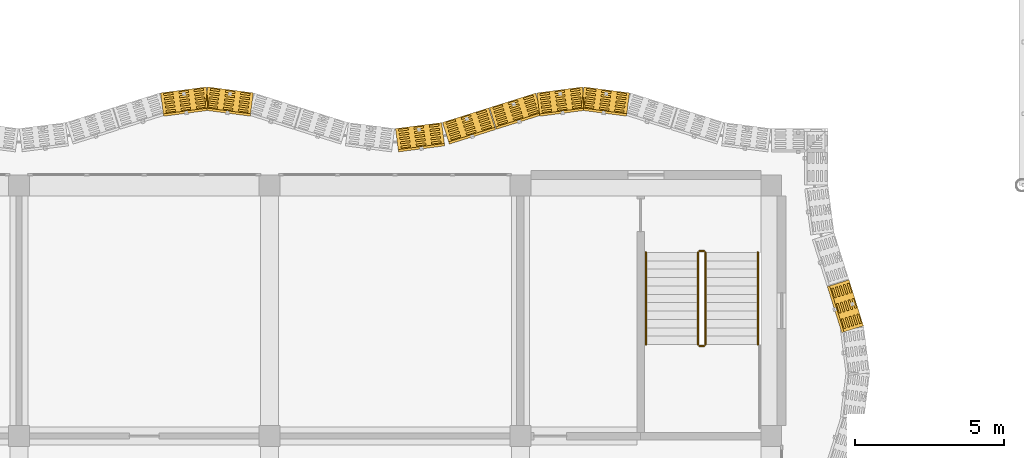
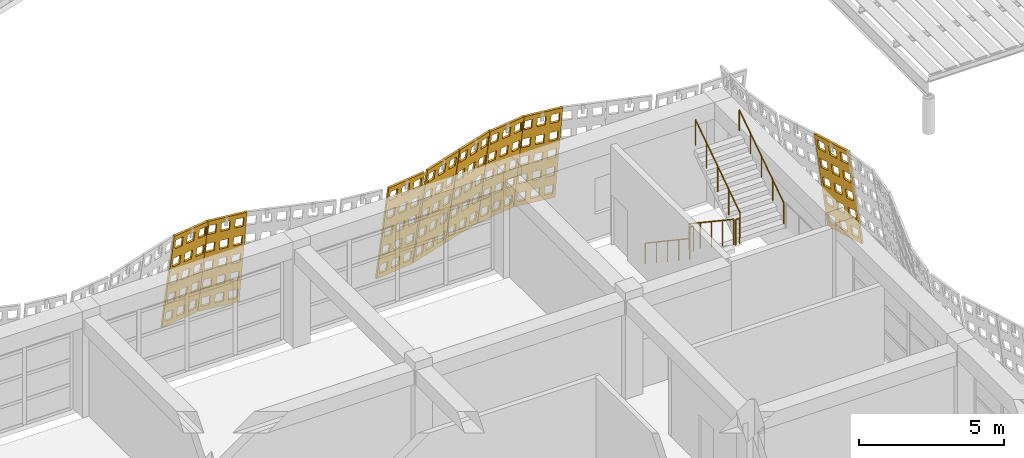
# One storey, part 127 of 162: 8 coverings, 6 railings.
"""IFC4 building model written with IfcOpenShell, lengths in metres."""

import ifcopenshell
import ifcopenshell.guid

model = None  # the IFC model being written
_history = None  # IfcOwnerHistory: only IFC2X3 demands one
_inside = {}  # id of a spatial element -> (the spatial element, [elements in it])
_under = {}  # id of a project, library or spatial element -> (it, [spatial elements below it])
_declared = {}  # id of a project -> (the project, [libraries it declares])
_typed = {}  # id of a type object -> (the type object, [elements of that type])
_made_of = {}  # id of a material, layer set ... -> (it, [elements and type objects made of it])


def new_model(schema):
    """Start an empty IFC model of exactly this schema.

    Asked for "IFC4X3", IfcOpenShell would pick the latest addendum, in which some entities
    have other attributes; the version numbers below select the first issue.
    IFC2X3 requires an IfcOwnerHistory on every rooted entity: one is made here for all.
    """
    global model, _history
    if schema == "IFC4X3":
        model = ifcopenshell.file(schema_version=(4, 3, 0, 0))
    else:
        model = ifcopenshell.file(schema=schema)
    _inside.clear()
    _under.clear()
    _declared.clear()
    _typed.clear()
    _made_of.clear()
    _history = None
    if model.schema == "IFC2X3":
        org = make("IfcOrganization", Name="unknown")
        user = make(
            "IfcPersonAndOrganization",
            ThePerson=make("IfcPerson", FamilyName="unknown"),
            TheOrganization=org,
        )
        app = make(
            "IfcApplication",
            ApplicationDeveloper=org,
            Version="unknown",
            ApplicationFullName="unknown",
            ApplicationIdentifier="unknown",
        )
        _history = make(
            "IfcOwnerHistory",
            OwningUser=user,
            OwningApplication=app,
            ChangeAction="ADDED",
            CreationDate=0,
        )
    return model


def make(cls, **values):
    """One entity of the class cls with the attributes given. An attribute that is None is left unset."""
    return model.create_entity(
        cls, **{name: value for name, value in values.items() if value is not None}
    )


def rooted(cls, **values):
    """An entity with a GlobalId (a new one), such as an element, a storey or a relation."""
    return make(cls, GlobalId=ifcopenshell.guid.new(), OwnerHistory=_history, **values)


def si_unit(unit_type, name, prefix=None):
    """IfcSIUnit, for example si_unit("LENGTHUNIT", "METRE", prefix="MILLI")."""
    return make("IfcSIUnit", UnitType=unit_type, Prefix=prefix, Name=name)


def assignment(units):
    """IfcUnitAssignment: the units of a project."""
    return None if units is None else make("IfcUnitAssignment", Units=units)


def point(xyz):
    """IfcCartesianPoint."""
    return None if xyz is None else make("IfcCartesianPoint", Coordinates=xyz)


def direction(xyz):
    """IfcDirection."""
    return None if xyz is None else make("IfcDirection", DirectionRatios=xyz)


def frame(location, z_axis=None, x_axis=None):
    """IfcAxis2Placement3D, a coordinate frame: its origin and axes. An axis left out is left unset."""
    return make(
        "IfcAxis2Placement3D",
        Location=point(location),
        Axis=direction(z_axis),
        RefDirection=direction(x_axis),
    )


def frame_2d(location, x_axis=None):
    """IfcAxis2Placement2D, a coordinate frame in the plane: its origin and x axis."""
    return make(
        "IfcAxis2Placement2D", Location=point(location), RefDirection=direction(x_axis)
    )


def origin():
    """The frame at (0, 0, 0) with its axes left unset."""
    return frame((0.0, 0.0, 0.0))


def origin_2d():
    """The frame at (0, 0) in the plane with its x axis left unset."""
    return frame_2d((0.0, 0.0))


def place(relative_to, where):
    """IfcLocalPlacement: puts the frame where relative to a parent placement (None: the world)."""
    return make(
        "IfcLocalPlacement", PlacementRelTo=relative_to, RelativePlacement=where
    )


def context(
    kind, dimensions, precision=None, world=None, true_north=None, identifier=None
):
    """IfcGeometricRepresentationContext, for example the 3D "Model" context."""
    return make(
        "IfcGeometricRepresentationContext",
        ContextIdentifier=identifier,
        ContextType=kind,
        CoordinateSpaceDimension=dimensions,
        Precision=precision,
        WorldCoordinateSystem=world,
        TrueNorth=true_north,
    )


def subcontext(parent, identifier, kind, view, scale=None):
    """IfcGeometricRepresentationSubContext, for example "Body" below "Model"."""
    return make(
        "IfcGeometricRepresentationSubContext",
        ContextIdentifier=identifier,
        ContextType=kind,
        ParentContext=parent,
        TargetScale=scale,
        TargetView=view,
    )


def project(units=None, contexts=None):
    """IfcProject with its units and contexts."""
    return rooted(
        "IfcProject",
        Name="project",
        RepresentationContexts=contexts,
        UnitsInContext=assignment(units),
    )


def spatial(cls, under=None, at=None, **own):
    """A site, building, storey or space (cls), placed at a placement, below another one or the project."""
    s = rooted(cls, ObjectPlacement=at, **own)
    if under is not None:
        _under.setdefault(under.id(), (under, []))[1].append(s)
    return s


def polyline(points):
    """IfcPolyline through the points."""
    return make("IfcPolyline", Points=[point(p) for p in points])


def profile(cls, at=None, kind="AREA", **sizes):
    """A parametric profile (cls). Its sizes go by their IFC names, for example OverallWidth=200.0."""
    return make(cls, ProfileType=kind, Position=at, **sizes)


def circle(**sizes):
    """IfcCircleProfileDef."""
    return profile("IfcCircleProfileDef", **sizes)


def outline(outer, holes=None, kind="AREA"):
    """IfcArbitraryClosedProfileDef: a profile drawn as a closed curve; with holes, ...WithVoids."""
    if holes is None:
        return make("IfcArbitraryClosedProfileDef", ProfileType=kind, OuterCurve=outer)
    return make(
        "IfcArbitraryProfileDefWithVoids",
        ProfileType=kind,
        OuterCurve=outer,
        InnerCurves=holes,
    )


def extrude(swept, where, along, depth):
    """IfcExtrudedAreaSolid: the profile swept, set in the frame where, extruded along a direction by depth."""
    return make(
        "IfcExtrudedAreaSolid",
        SweptArea=swept,
        Position=where,
        ExtrudedDirection=direction(along),
        Depth=depth,
    )


def shape(context_of_items, identifier, shape_type, items):
    """IfcShapeRepresentation: the items that make up one representation, for example the "Body"."""
    return make(
        "IfcShapeRepresentation",
        ContextOfItems=context_of_items,
        RepresentationIdentifier=identifier,
        RepresentationType=shape_type,
        Items=items,
    )


def material(Name=None, Category=None):
    """IfcMaterial."""
    return make("IfcMaterial", Name=Name, Category=Category)


def layer(
    of_material, thickness, ventilated=None, Name=None, Category=None, Priority=None
):
    """IfcMaterialLayer: one layer of a wall or slab, of a material (None: an air gap)."""
    return make(
        "IfcMaterialLayer",
        Material=of_material,
        LayerThickness=thickness,
        IsVentilated=ventilated,
        Name=Name,
        Category=Category,
        Priority=Priority,
    )


def layer_set(layers, Name=None):
    """IfcMaterialLayerSet."""
    return make("IfcMaterialLayerSet", MaterialLayers=layers, LayerSetName=Name)


def made_of(thing, what):
    """Note that an element or type object is made of a material, layer set ...; save() writes the relation."""
    if what is not None:
        _made_of.setdefault(what.id(), (what, []))[1].append(thing)
    return thing


def type_object(cls, material=None, **own):
    """A type object (cls), such as IfcWallType, which elements share."""
    return made_of(rooted(cls, **own), material)


def element(
    cls,
    number,
    at=None,
    inside=None,
    cuts=None,
    type_object=None,
    material=None,
    context=None,
    identifier="Body",
    shape_type=None,
    held_by="IfcProductDefinitionShape",
    body=None,
    shapes=None,
    **own,
):
    """One element of the class cls, such as IfcWall. Its Tag is "e" and its number.

    at: its placement. inside: the storey or other place that contains it. cuts: it is an
    opening in that element (IfcRelVoidsElement). A single representation is given by context,
    identifier, shape_type and body (its items); several are given by shapes. held_by: the class
    of the entity that holds the representations. save() writes the other relations.
    """
    e = rooted(cls, Tag="e%d" % number, ObjectPlacement=at, **own)
    if body is not None:
        shapes = [shape(context, identifier, shape_type, body)]
    if shapes is not None:
        e.Representation = make(held_by, Representations=shapes)
    if inside is not None:
        _inside.setdefault(inside.id(), (inside, []))[1].append(e)
    if cuts is not None:
        rooted(
            "IfcRelVoidsElement", RelatingBuildingElement=cuts, RelatedOpeningElement=e
        )
    if type_object is not None:
        _typed.setdefault(type_object.id(), (type_object, []))[1].append(e)
    return made_of(e, material)


def aggregate(whole, parts):
    """IfcRelAggregates: a whole, such as a stair, and the parts it consists of."""
    return rooted("IfcRelAggregates", RelatingObject=whole, RelatedObjects=parts)


def save(model, path):
    """Write the relations noted so far, then the file.

    IfcRelAggregates (storeys below a building ...), IfcRelContainedInSpatialStructure (elements
    in a storey), IfcRelDefinesByType, IfcRelAssociatesMaterial and IfcRelDeclares: one each for
    every whole, place, type object, material and project.
    """
    for whole, parts in _under.values():
        aggregate(whole, parts)
    for where, things in _inside.values():
        rooted(
            "IfcRelContainedInSpatialStructure",
            RelatedElements=things,
            RelatingStructure=where,
        )
    for kind, things in _typed.values():
        rooted("IfcRelDefinesByType", RelatedObjects=things, RelatingType=kind)
    for what, things in _made_of.values():
        rooted("IfcRelAssociatesMaterial", RelatedObjects=things, RelatingMaterial=what)
    for by, libraries in _declared.values():
        rooted("IfcRelDeclares", RelatingContext=by, RelatedDefinitions=libraries)
    model.write(path)


model = new_model("IFC4")

# Units and contexts
model_context = context("Model", 3, precision=1e-05, world=origin(), true_north=direction((0.0, 1.0)))
body_context = subcontext(model_context, "Body", "Model", "MODEL_VIEW")
ifc_project = project(units=[si_unit("LENGTHUNIT", "METRE"), si_unit("AREAUNIT", "SQUARE_METRE"), si_unit("VOLUMEUNIT", "CUBIC_METRE"), si_unit("PLANEANGLEUNIT", "RADIAN"), si_unit("MASSUNIT", "GRAM", prefix="KILO")], contexts=[model_context])

# Site, building, storey
site_placement = place(None, origin())
site = spatial("IfcSite", under=ifc_project, at=site_placement, CompositionType="ELEMENT")
building_placement = place(site_placement, origin())
building = spatial("IfcBuilding", under=site, at=building_placement, Name="Rain Tree Exposition and Congress Centre", CompositionType="ELEMENT")
storey_placement = place(building_placement, frame((0.0, 0.0, 6.0)))
storey = spatial("IfcBuildingStorey", under=building, at=storey_placement, Name="L01", CompositionType="ELEMENT", Elevation=6.0)

# Coverings
ifc_material_1 = material(Name="Perforated terracotta", Category="masonry")
ifc_layer = layer(ifc_material_1, 0.080078125)
ifc_layer_set = layer_set([ifc_layer], Name="Perforated terracotta")
covering_type = type_object("IfcCoveringType", Name="Terracotta screen 80", PredefinedType="CLADDING", material=ifc_layer_set)
covering_1_placement = place(storey_placement, frame((53.493408203125, 45.67431640625, 0.0126953125), z_axis=(-0.942029390639, -0.295717964052, -0.158529217842), x_axis=(0.29950542383, -0.954094597562, 0.0)))
element("IfcCovering", 1, at=covering_1_placement, inside=storey, type_object=covering_type, Name="wing/screen/L01/064", PredefinedType="CLADDING", context=body_context, shape_type="SweptSolid", body=[
    extrude(outline(polyline([(-1.635986328125, 0.0), (-1.635986328125, 4.291259765625), (-0.02197265625, 4.291259765625), (-0.02197265625, 0.0), (-1.635986328125, 0.0)]), holes=[polyline([(-0.124267578125, 0.221435546875), (-0.124267578125, 0.63671875), (-0.457763671875, 0.63671875), (-0.457763671875, 0.221435546875), (-0.124267578125, 0.221435546875)]), polyline([(-0.124267578125, 1.07958984375), (-0.124267578125, 1.4951171875), (-0.457763671875, 1.4951171875), (-0.457763671875, 1.07958984375), (-0.124267578125, 1.07958984375)]), polyline([(-0.124267578125, 1.93798828125), (-0.124267578125, 2.353271484375), (-0.457763671875, 2.353271484375), (-0.457763671875, 1.93798828125), (-0.124267578125, 1.93798828125)]), polyline([(-0.124267578125, 2.796142578125), (-0.124267578125, 3.21142578125), (-0.457763671875, 3.21142578125), (-0.457763671875, 2.796142578125), (-0.124267578125, 2.796142578125)]), polyline([(-0.124267578125, 3.654541015625), (-0.124267578125, 4.06982421875), (-0.457763671875, 4.06982421875), (-0.457763671875, 3.654541015625), (-0.124267578125, 3.654541015625)]), polyline([(-0.662109375, 0.221435546875), (-0.662109375, 0.63671875), (-0.995849609375, 0.63671875), (-0.995849609375, 0.221435546875), (-0.662109375, 0.221435546875)]), polyline([(-0.662109375, 1.07958984375), (-0.662109375, 1.4951171875), (-0.995849609375, 1.4951171875), (-0.995849609375, 1.07958984375), (-0.662109375, 1.07958984375)]), polyline([(-0.662109375, 1.93798828125), (-0.662109375, 2.353271484375), (-0.995849609375, 2.353271484375), (-0.995849609375, 1.93798828125), (-0.662109375, 1.93798828125)]), polyline([(-0.662109375, 2.796142578125), (-0.662109375, 3.21142578125), (-0.995849609375, 3.21142578125), (-0.995849609375, 2.796142578125), (-0.662109375, 2.796142578125)]), polyline([(-0.662109375, 3.654541015625), (-0.662109375, 4.06982421875), (-0.995849609375, 4.06982421875), (-0.995849609375, 3.654541015625), (-0.662109375, 3.654541015625)]), polyline([(-1.2001953125, 0.221435546875), (-1.2001953125, 0.63671875), (-1.53369140625, 0.63671875), (-1.53369140625, 0.221435546875), (-1.2001953125, 0.221435546875)]), polyline([(-1.2001953125, 1.07958984375), (-1.2001953125, 1.4951171875), (-1.53369140625, 1.4951171875), (-1.53369140625, 1.07958984375), (-1.2001953125, 1.07958984375)]), polyline([(-1.2001953125, 1.93798828125), (-1.2001953125, 2.353271484375), (-1.53369140625, 2.353271484375), (-1.53369140625, 1.93798828125), (-1.2001953125, 1.93798828125)]), polyline([(-1.2001953125, 2.796142578125), (-1.2001953125, 3.21142578125), (-1.53369140625, 3.21142578125), (-1.53369140625, 2.796142578125), (-1.2001953125, 2.796142578125)]), polyline([(-1.2001953125, 3.654541015625), (-1.2001953125, 4.06982421875), (-1.53369140625, 4.06982421875), (-1.53369140625, 3.654541015625), (-1.2001953125, 3.654541015625)])]), origin(), (0.0, 0.0, 1.0), 0.080078125),
])
covering_2_placement = place(storey_placement, frame((45.6748046875, 53.4931640625, 0.01318359375), z_axis=(-0.127967328105, -0.978036007662, -0.16452942185), x_axis=(0.991548658387, -0.129735338481, 0.0)))
element("IfcCovering", 2, at=covering_2_placement, inside=storey, type_object=covering_type, Name="wing/screen/L01/072", PredefinedType="CLADDING", context=body_context, shape_type="SweptSolid", body=[
    extrude(outline(polyline([(-1.56298828125, 0.0), (-1.56298828125, 4.295166015625), (-0.02197265625, 4.295166015625), (-0.02197265625, 0.0), (-1.56298828125, 0.0)]), holes=[polyline([(-0.11962890625, 0.2216796875), (-0.11962890625, 0.63720703125), (-0.43798828125, 0.63720703125), (-0.43798828125, 0.2216796875), (-0.11962890625, 0.2216796875)]), polyline([(-0.11962890625, 1.080810546875), (-0.11962890625, 1.496337890625), (-0.43798828125, 1.496337890625), (-0.43798828125, 1.080810546875), (-0.11962890625, 1.080810546875)]), polyline([(-0.11962890625, 1.939697265625), (-0.11962890625, 2.35546875), (-0.43798828125, 2.35546875), (-0.43798828125, 1.939697265625), (-0.11962890625, 1.939697265625)]), polyline([(-0.11962890625, 2.798583984375), (-0.11962890625, 3.21435546875), (-0.43798828125, 3.21435546875), (-0.43798828125, 2.798583984375), (-0.11962890625, 2.798583984375)]), polyline([(-0.11962890625, 3.65771484375), (-0.11962890625, 4.073486328125), (-0.43798828125, 4.073486328125), (-0.43798828125, 3.65771484375), (-0.11962890625, 3.65771484375)]), polyline([(-0.63330078125, 0.2216796875), (-0.63330078125, 0.63720703125), (-0.95166015625, 0.63720703125), (-0.95166015625, 0.2216796875), (-0.63330078125, 0.2216796875)]), polyline([(-0.63330078125, 1.080810546875), (-0.63330078125, 1.496337890625), (-0.95166015625, 1.496337890625), (-0.95166015625, 1.080810546875), (-0.63330078125, 1.080810546875)]), polyline([(-0.63330078125, 1.939697265625), (-0.63330078125, 2.35546875), (-0.95166015625, 2.35546875), (-0.95166015625, 1.939697265625), (-0.63330078125, 1.939697265625)]), polyline([(-0.63330078125, 2.798583984375), (-0.63330078125, 3.21435546875), (-0.95166015625, 3.21435546875), (-0.95166015625, 2.798583984375), (-0.63330078125, 2.798583984375)]), polyline([(-0.63330078125, 3.65771484375), (-0.63330078125, 4.073486328125), (-0.95166015625, 4.073486328125), (-0.95166015625, 3.65771484375), (-0.63330078125, 3.65771484375)]), polyline([(-1.146728515625, 0.2216796875), (-1.146728515625, 0.63720703125), (-1.46533203125, 0.63720703125), (-1.46533203125, 0.2216796875), (-1.146728515625, 0.2216796875)]), polyline([(-1.146728515625, 1.080810546875), (-1.146728515625, 1.496337890625), (-1.46533203125, 1.496337890625), (-1.46533203125, 1.080810546875), (-1.146728515625, 1.080810546875)]), polyline([(-1.146728515625, 1.939697265625), (-1.146728515625, 2.35546875), (-1.46533203125, 2.35546875), (-1.46533203125, 1.939697265625), (-1.146728515625, 1.939697265625)]), polyline([(-1.146728515625, 2.798583984375), (-1.146728515625, 3.21435546875), (-1.46533203125, 3.21435546875), (-1.46533203125, 2.798583984375), (-1.146728515625, 2.798583984375)]), polyline([(-1.146728515625, 3.65771484375), (-1.146728515625, 4.073486328125), (-1.46533203125, 4.073486328125), (-1.46533203125, 3.65771484375), (-1.146728515625, 3.65771484375)])]), origin(), (0.0, 0.0, 1.0), 0.080078125),
])
covering_3_placement = place(storey_placement, frame((44.100341796875, 53.697998046875, 0.01318359375), z_axis=(0.128349774249, -0.9779030419, -0.165021138321), x_axis=(0.991496427865, 0.130133906157, 0.0)))
element("IfcCovering", 3, at=covering_3_placement, inside=storey, type_object=covering_type, Name="wing/screen/L01/073", PredefinedType="CLADDING", context=body_context, shape_type="SweptSolid", body=[
    extrude(outline(polyline([(-1.56640625, 0.0), (-1.56640625, 4.295166015625), (-0.025390625, 4.295166015625), (-0.025390625, 0.0), (-1.56640625, 0.0)]), holes=[polyline([(-0.123046875, 0.2216796875), (-0.123046875, 0.63720703125), (-0.44140625, 0.63720703125), (-0.44140625, 0.2216796875), (-0.123046875, 0.2216796875)]), polyline([(-0.123046875, 1.080810546875), (-0.123046875, 1.496337890625), (-0.44140625, 1.496337890625), (-0.44140625, 1.080810546875), (-0.123046875, 1.080810546875)]), polyline([(-0.123046875, 1.939697265625), (-0.123046875, 2.35546875), (-0.44140625, 2.35546875), (-0.44140625, 1.939697265625), (-0.123046875, 1.939697265625)]), polyline([(-0.123046875, 2.798583984375), (-0.123046875, 3.21435546875), (-0.44140625, 3.21435546875), (-0.44140625, 2.798583984375), (-0.123046875, 2.798583984375)]), polyline([(-0.123046875, 3.65771484375), (-0.123046875, 4.073486328125), (-0.44140625, 4.073486328125), (-0.44140625, 3.65771484375), (-0.123046875, 3.65771484375)]), polyline([(-0.63671875, 0.2216796875), (-0.63671875, 0.63720703125), (-0.955078125, 0.63720703125), (-0.955078125, 0.2216796875), (-0.63671875, 0.2216796875)]), polyline([(-0.63671875, 1.080810546875), (-0.63671875, 1.496337890625), (-0.955078125, 1.496337890625), (-0.955078125, 1.080810546875), (-0.63671875, 1.080810546875)]), polyline([(-0.63671875, 1.939697265625), (-0.63671875, 2.35546875), (-0.955078125, 2.35546875), (-0.955078125, 1.939697265625), (-0.63671875, 1.939697265625)]), polyline([(-0.63671875, 2.798583984375), (-0.63671875, 3.21435546875), (-0.955078125, 3.21435546875), (-0.955078125, 2.798583984375), (-0.63671875, 2.798583984375)]), polyline([(-0.63671875, 3.65771484375), (-0.63671875, 4.073486328125), (-0.955078125, 4.073486328125), (-0.955078125, 3.65771484375), (-0.63671875, 3.65771484375)]), polyline([(-1.150146484375, 0.2216796875), (-1.150146484375, 0.63720703125), (-1.46875, 0.63720703125), (-1.46875, 0.2216796875), (-1.150146484375, 0.2216796875)]), polyline([(-1.150146484375, 1.080810546875), (-1.150146484375, 1.496337890625), (-1.46875, 1.496337890625), (-1.46875, 1.080810546875), (-1.150146484375, 1.080810546875)]), polyline([(-1.150146484375, 1.939697265625), (-1.150146484375, 2.35546875), (-1.46875, 2.35546875), (-1.46875, 1.939697265625), (-1.150146484375, 1.939697265625)]), polyline([(-1.150146484375, 2.798583984375), (-1.150146484375, 3.21435546875), (-1.46875, 3.21435546875), (-1.46875, 2.798583984375), (-1.150146484375, 2.798583984375)]), polyline([(-1.150146484375, 3.65771484375), (-1.150146484375, 4.073486328125), (-1.46875, 4.073486328125), (-1.46875, 3.65771484375), (-1.150146484375, 3.65771484375)])]), origin(), (0.0, 0.0, 1.0), 0.079833984375),
])
covering_4_placement = place(storey_placement, frame((42.525634765625, 53.493408203125, 0.0126953125), z_axis=(0.295717964052, -0.942029390639, -0.158529217842), x_axis=(0.954094597562, 0.29950542383, 0.0)))
element("IfcCovering", 4, at=covering_4_placement, inside=storey, type_object=covering_type, Name="wing/screen/L01/074", PredefinedType="CLADDING", context=body_context, shape_type="SweptSolid", body=[
    extrude(outline(polyline([(-1.635986328125, 0.0), (-1.635986328125, 4.291259765625), (-0.02197265625, 4.291259765625), (-0.02197265625, 0.0), (-1.635986328125, 0.0)]), holes=[polyline([(-0.124267578125, 0.221435546875), (-0.124267578125, 0.63671875), (-0.457763671875, 0.63671875), (-0.457763671875, 0.221435546875), (-0.124267578125, 0.221435546875)]), polyline([(-0.124267578125, 1.07958984375), (-0.124267578125, 1.4951171875), (-0.457763671875, 1.4951171875), (-0.457763671875, 1.07958984375), (-0.124267578125, 1.07958984375)]), polyline([(-0.124267578125, 1.93798828125), (-0.124267578125, 2.353271484375), (-0.457763671875, 2.353271484375), (-0.457763671875, 1.93798828125), (-0.124267578125, 1.93798828125)]), polyline([(-0.124267578125, 2.796142578125), (-0.124267578125, 3.21142578125), (-0.457763671875, 3.21142578125), (-0.457763671875, 2.796142578125), (-0.124267578125, 2.796142578125)]), polyline([(-0.124267578125, 3.654541015625), (-0.124267578125, 4.06982421875), (-0.457763671875, 4.06982421875), (-0.457763671875, 3.654541015625), (-0.124267578125, 3.654541015625)]), polyline([(-0.662109375, 0.221435546875), (-0.662109375, 0.63671875), (-0.995849609375, 0.63671875), (-0.995849609375, 0.221435546875), (-0.662109375, 0.221435546875)]), polyline([(-0.662109375, 1.07958984375), (-0.662109375, 1.4951171875), (-0.995849609375, 1.4951171875), (-0.995849609375, 1.07958984375), (-0.662109375, 1.07958984375)]), polyline([(-0.662109375, 1.93798828125), (-0.662109375, 2.353271484375), (-0.995849609375, 2.353271484375), (-0.995849609375, 1.93798828125), (-0.662109375, 1.93798828125)]), polyline([(-0.662109375, 2.796142578125), (-0.662109375, 3.21142578125), (-0.995849609375, 3.21142578125), (-0.995849609375, 2.796142578125), (-0.662109375, 2.796142578125)]), polyline([(-0.662109375, 3.654541015625), (-0.662109375, 4.06982421875), (-0.995849609375, 4.06982421875), (-0.995849609375, 3.654541015625), (-0.662109375, 3.654541015625)]), polyline([(-1.2001953125, 0.221435546875), (-1.2001953125, 0.63671875), (-1.53369140625, 0.63671875), (-1.53369140625, 0.221435546875), (-1.2001953125, 0.221435546875)]), polyline([(-1.2001953125, 1.07958984375), (-1.2001953125, 1.4951171875), (-1.53369140625, 1.4951171875), (-1.53369140625, 1.07958984375), (-1.2001953125, 1.07958984375)]), polyline([(-1.2001953125, 1.93798828125), (-1.2001953125, 2.353271484375), (-1.53369140625, 2.353271484375), (-1.53369140625, 1.93798828125), (-1.2001953125, 1.93798828125)]), polyline([(-1.2001953125, 2.796142578125), (-1.2001953125, 3.21142578125), (-1.53369140625, 3.21142578125), (-1.53369140625, 2.796142578125), (-1.2001953125, 2.796142578125)]), polyline([(-1.2001953125, 3.654541015625), (-1.2001953125, 4.06982421875), (-1.53369140625, 4.06982421875), (-1.53369140625, 3.654541015625), (-1.2001953125, 3.654541015625)])]), origin(), (0.0, 0.0, 1.0), 0.080078125),
])
covering_5_placement = place(storey_placement, frame((40.95068359375, 52.998291015625, 0.0126953125), z_axis=(0.296569528658, -0.941684688936, -0.158985726703), x_axis=(0.953816392794, 0.300390227601, 0.0)))
element("IfcCovering", 5, at=covering_5_placement, inside=storey, type_object=covering_type, Name="wing/screen/L01/075", PredefinedType="CLADDING", context=body_context, shape_type="SweptSolid", body=[
    extrude(outline(polyline([(-1.635986328125, 0.0), (-1.635986328125, 4.291259765625), (-0.014892578125, 4.291259765625), (-0.014892578125, 0.0), (-1.635986328125, 0.0)]), holes=[polyline([(-0.11767578125, 0.221435546875), (-0.11767578125, 0.63671875), (-0.45263671875, 0.63671875), (-0.45263671875, 0.221435546875), (-0.11767578125, 0.221435546875)]), polyline([(-0.11767578125, 1.07958984375), (-0.11767578125, 1.4951171875), (-0.45263671875, 1.4951171875), (-0.45263671875, 1.07958984375), (-0.11767578125, 1.07958984375)]), polyline([(-0.11767578125, 1.93798828125), (-0.11767578125, 2.353271484375), (-0.45263671875, 2.353271484375), (-0.45263671875, 1.93798828125), (-0.11767578125, 1.93798828125)]), polyline([(-0.11767578125, 2.796142578125), (-0.11767578125, 3.21142578125), (-0.45263671875, 3.21142578125), (-0.45263671875, 2.796142578125), (-0.11767578125, 2.796142578125)]), polyline([(-0.11767578125, 3.654541015625), (-0.11767578125, 4.06982421875), (-0.45263671875, 4.06982421875), (-0.45263671875, 3.654541015625), (-0.11767578125, 3.654541015625)]), polyline([(-0.657958984375, 0.221435546875), (-0.657958984375, 0.63671875), (-0.992919921875, 0.63671875), (-0.992919921875, 0.221435546875), (-0.657958984375, 0.221435546875)]), polyline([(-0.657958984375, 1.07958984375), (-0.657958984375, 1.4951171875), (-0.992919921875, 1.4951171875), (-0.992919921875, 1.07958984375), (-0.657958984375, 1.07958984375)]), polyline([(-0.657958984375, 1.93798828125), (-0.657958984375, 2.353271484375), (-0.992919921875, 2.353271484375), (-0.992919921875, 1.93798828125), (-0.657958984375, 1.93798828125)]), polyline([(-0.657958984375, 2.796142578125), (-0.657958984375, 3.21142578125), (-0.992919921875, 3.21142578125), (-0.992919921875, 2.796142578125), (-0.657958984375, 2.796142578125)]), polyline([(-0.657958984375, 3.654541015625), (-0.657958984375, 4.06982421875), (-0.992919921875, 4.06982421875), (-0.992919921875, 3.654541015625), (-0.657958984375, 3.654541015625)]), polyline([(-1.1982421875, 0.221435546875), (-1.1982421875, 0.63671875), (-1.533203125, 0.63671875), (-1.533203125, 0.221435546875), (-1.1982421875, 0.221435546875)]), polyline([(-1.1982421875, 1.07958984375), (-1.1982421875, 1.4951171875), (-1.533203125, 1.4951171875), (-1.533203125, 1.07958984375), (-1.1982421875, 1.07958984375)]), polyline([(-1.1982421875, 1.93798828125), (-1.1982421875, 2.353271484375), (-1.533203125, 2.353271484375), (-1.533203125, 1.93798828125), (-1.1982421875, 1.93798828125)]), polyline([(-1.1982421875, 2.796142578125), (-1.1982421875, 3.21142578125), (-1.533203125, 3.21142578125), (-1.533203125, 2.796142578125), (-1.1982421875, 2.796142578125)]), polyline([(-1.1982421875, 3.654541015625), (-1.1982421875, 4.06982421875), (-1.533203125, 4.06982421875), (-1.533203125, 3.654541015625), (-1.1982421875, 3.654541015625)])]), origin(), (0.0, 0.0, 1.0), 0.079833984375),
])
covering_6_placement = place(storey_placement, frame((39.375244140625, 52.503173828125, 0.01318359375), z_axis=(0.127967328105, -0.978036007662, -0.16452942185), x_axis=(0.991548658387, 0.129735338481, 0.0)))
element("IfcCovering", 6, at=covering_6_placement, inside=storey, type_object=covering_type, Name="wing/screen/L01/076", PredefinedType="CLADDING", context=body_context, shape_type="SweptSolid", body=[
    extrude(outline(polyline([(-1.5732421875, 0.0), (-1.5732421875, 4.295166015625), (-0.014892578125, 4.295166015625), (-0.014892578125, 0.0), (-1.5732421875, 0.0)]), holes=[polyline([(-0.11376953125, 0.2216796875), (-0.11376953125, 0.63720703125), (-0.435791015625, 0.63720703125), (-0.435791015625, 0.2216796875), (-0.11376953125, 0.2216796875)]), polyline([(-0.11376953125, 1.080810546875), (-0.11376953125, 1.496337890625), (-0.435791015625, 1.496337890625), (-0.435791015625, 1.080810546875), (-0.11376953125, 1.080810546875)]), polyline([(-0.11376953125, 1.939697265625), (-0.11376953125, 2.35546875), (-0.435791015625, 2.35546875), (-0.435791015625, 1.939697265625), (-0.11376953125, 1.939697265625)]), polyline([(-0.11376953125, 2.798583984375), (-0.11376953125, 3.21435546875), (-0.435791015625, 3.21435546875), (-0.435791015625, 2.798583984375), (-0.11376953125, 2.798583984375)]), polyline([(-0.11376953125, 3.65771484375), (-0.11376953125, 4.073486328125), (-0.435791015625, 4.073486328125), (-0.435791015625, 3.65771484375), (-0.11376953125, 3.65771484375)]), polyline([(-0.633056640625, 0.2216796875), (-0.633056640625, 0.63720703125), (-0.955078125, 0.63720703125), (-0.955078125, 0.2216796875), (-0.633056640625, 0.2216796875)]), polyline([(-0.633056640625, 1.080810546875), (-0.633056640625, 1.496337890625), (-0.955078125, 1.496337890625), (-0.955078125, 1.080810546875), (-0.633056640625, 1.080810546875)]), polyline([(-0.633056640625, 1.939697265625), (-0.633056640625, 2.35546875), (-0.955078125, 2.35546875), (-0.955078125, 1.939697265625), (-0.633056640625, 1.939697265625)]), polyline([(-0.633056640625, 2.798583984375), (-0.633056640625, 3.21435546875), (-0.955078125, 3.21435546875), (-0.955078125, 2.798583984375), (-0.633056640625, 2.798583984375)]), polyline([(-0.633056640625, 3.65771484375), (-0.633056640625, 4.073486328125), (-0.955078125, 4.073486328125), (-0.955078125, 3.65771484375), (-0.633056640625, 3.65771484375)]), polyline([(-1.152587890625, 0.2216796875), (-1.152587890625, 0.63720703125), (-1.474609375, 0.63720703125), (-1.474609375, 0.2216796875), (-1.152587890625, 0.2216796875)]), polyline([(-1.152587890625, 1.080810546875), (-1.152587890625, 1.496337890625), (-1.474609375, 1.496337890625), (-1.474609375, 1.080810546875), (-1.152587890625, 1.080810546875)]), polyline([(-1.152587890625, 1.939697265625), (-1.152587890625, 2.35546875), (-1.474609375, 2.35546875), (-1.474609375, 1.939697265625), (-1.152587890625, 1.939697265625)]), polyline([(-1.152587890625, 2.798583984375), (-1.152587890625, 3.21435546875), (-1.474609375, 3.21435546875), (-1.474609375, 2.798583984375), (-1.152587890625, 2.798583984375)]), polyline([(-1.152587890625, 3.65771484375), (-1.152587890625, 4.073486328125), (-1.474609375, 4.073486328125), (-1.474609375, 3.65771484375), (-1.152587890625, 3.65771484375)])]), origin(), (0.0, 0.0, 1.0), 0.080078125),
])
covering_7_placement = place(storey_placement, frame((33.07470703125, 53.4931640625, 0.01318359375), z_axis=(-0.127967328105, -0.978036007662, -0.16452942185), x_axis=(0.991548658387, -0.129735338481, 0.0)))
element("IfcCovering", 7, at=covering_7_placement, inside=storey, type_object=covering_type, Name="wing/screen/L01/080", PredefinedType="CLADDING", context=body_context, shape_type="SweptSolid", body=[
    extrude(outline(polyline([(-1.56298828125, 0.0), (-1.56298828125, 4.295166015625), (-0.02197265625, 4.295166015625), (-0.02197265625, 0.0), (-1.56298828125, 0.0)]), holes=[polyline([(-0.11962890625, 0.2216796875), (-0.11962890625, 0.63720703125), (-0.43798828125, 0.63720703125), (-0.43798828125, 0.2216796875), (-0.11962890625, 0.2216796875)]), polyline([(-0.11962890625, 1.080810546875), (-0.11962890625, 1.496337890625), (-0.43798828125, 1.496337890625), (-0.43798828125, 1.080810546875), (-0.11962890625, 1.080810546875)]), polyline([(-0.11962890625, 1.939697265625), (-0.11962890625, 2.35546875), (-0.43798828125, 2.35546875), (-0.43798828125, 1.939697265625), (-0.11962890625, 1.939697265625)]), polyline([(-0.11962890625, 2.798583984375), (-0.11962890625, 3.21435546875), (-0.43798828125, 3.21435546875), (-0.43798828125, 2.798583984375), (-0.11962890625, 2.798583984375)]), polyline([(-0.11962890625, 3.65771484375), (-0.11962890625, 4.073486328125), (-0.43798828125, 4.073486328125), (-0.43798828125, 3.65771484375), (-0.11962890625, 3.65771484375)]), polyline([(-0.63330078125, 0.2216796875), (-0.63330078125, 0.63720703125), (-0.95166015625, 0.63720703125), (-0.95166015625, 0.2216796875), (-0.63330078125, 0.2216796875)]), polyline([(-0.63330078125, 1.080810546875), (-0.63330078125, 1.496337890625), (-0.95166015625, 1.496337890625), (-0.95166015625, 1.080810546875), (-0.63330078125, 1.080810546875)]), polyline([(-0.63330078125, 1.939697265625), (-0.63330078125, 2.35546875), (-0.95166015625, 2.35546875), (-0.95166015625, 1.939697265625), (-0.63330078125, 1.939697265625)]), polyline([(-0.63330078125, 2.798583984375), (-0.63330078125, 3.21435546875), (-0.95166015625, 3.21435546875), (-0.95166015625, 2.798583984375), (-0.63330078125, 2.798583984375)]), polyline([(-0.63330078125, 3.65771484375), (-0.63330078125, 4.073486328125), (-0.95166015625, 4.073486328125), (-0.95166015625, 3.65771484375), (-0.63330078125, 3.65771484375)]), polyline([(-1.146728515625, 0.2216796875), (-1.146728515625, 0.63720703125), (-1.46533203125, 0.63720703125), (-1.46533203125, 0.2216796875), (-1.146728515625, 0.2216796875)]), polyline([(-1.146728515625, 1.080810546875), (-1.146728515625, 1.496337890625), (-1.46533203125, 1.496337890625), (-1.46533203125, 1.080810546875), (-1.146728515625, 1.080810546875)]), polyline([(-1.146728515625, 1.939697265625), (-1.146728515625, 2.35546875), (-1.46533203125, 2.35546875), (-1.46533203125, 1.939697265625), (-1.146728515625, 1.939697265625)]), polyline([(-1.146728515625, 2.798583984375), (-1.146728515625, 3.21435546875), (-1.46533203125, 3.21435546875), (-1.46533203125, 2.798583984375), (-1.146728515625, 2.798583984375)]), polyline([(-1.146728515625, 3.65771484375), (-1.146728515625, 4.073486328125), (-1.46533203125, 4.073486328125), (-1.46533203125, 3.65771484375), (-1.146728515625, 3.65771484375)])]), origin(), (0.0, 0.0, 1.0), 0.080078125),
])
covering_8_placement = place(storey_placement, frame((31.500244140625, 53.697998046875, 0.01318359375), z_axis=(0.128349774249, -0.9779030419, -0.165021138321), x_axis=(0.991496427865, 0.130133906157, 0.0)))
element("IfcCovering", 8, at=covering_8_placement, inside=storey, type_object=covering_type, Name="wing/screen/L01/081", PredefinedType="CLADDING", context=body_context, shape_type="SweptSolid", body=[
    extrude(outline(polyline([(-1.56640625, 0.0), (-1.56640625, 4.295166015625), (-0.025390625, 4.295166015625), (-0.025390625, 0.0), (-1.56640625, 0.0)]), holes=[polyline([(-0.123046875, 0.2216796875), (-0.123046875, 0.63720703125), (-0.44140625, 0.63720703125), (-0.44140625, 0.2216796875), (-0.123046875, 0.2216796875)]), polyline([(-0.123046875, 1.080810546875), (-0.123046875, 1.496337890625), (-0.44140625, 1.496337890625), (-0.44140625, 1.080810546875), (-0.123046875, 1.080810546875)]), polyline([(-0.123046875, 1.939697265625), (-0.123046875, 2.35546875), (-0.44140625, 2.35546875), (-0.44140625, 1.939697265625), (-0.123046875, 1.939697265625)]), polyline([(-0.123046875, 2.798583984375), (-0.123046875, 3.21435546875), (-0.44140625, 3.21435546875), (-0.44140625, 2.798583984375), (-0.123046875, 2.798583984375)]), polyline([(-0.123046875, 3.65771484375), (-0.123046875, 4.073486328125), (-0.44140625, 4.073486328125), (-0.44140625, 3.65771484375), (-0.123046875, 3.65771484375)]), polyline([(-0.63671875, 0.2216796875), (-0.63671875, 0.63720703125), (-0.955078125, 0.63720703125), (-0.955078125, 0.2216796875), (-0.63671875, 0.2216796875)]), polyline([(-0.63671875, 1.080810546875), (-0.63671875, 1.496337890625), (-0.955078125, 1.496337890625), (-0.955078125, 1.080810546875), (-0.63671875, 1.080810546875)]), polyline([(-0.63671875, 1.939697265625), (-0.63671875, 2.35546875), (-0.955078125, 2.35546875), (-0.955078125, 1.939697265625), (-0.63671875, 1.939697265625)]), polyline([(-0.63671875, 2.798583984375), (-0.63671875, 3.21435546875), (-0.955078125, 3.21435546875), (-0.955078125, 2.798583984375), (-0.63671875, 2.798583984375)]), polyline([(-0.63671875, 3.65771484375), (-0.63671875, 4.073486328125), (-0.955078125, 4.073486328125), (-0.955078125, 3.65771484375), (-0.63671875, 3.65771484375)]), polyline([(-1.150146484375, 0.2216796875), (-1.150146484375, 0.63720703125), (-1.46875, 0.63720703125), (-1.46875, 0.2216796875), (-1.150146484375, 0.2216796875)]), polyline([(-1.150146484375, 1.080810546875), (-1.150146484375, 1.496337890625), (-1.46875, 1.496337890625), (-1.46875, 1.080810546875), (-1.150146484375, 1.080810546875)]), polyline([(-1.150146484375, 1.939697265625), (-1.150146484375, 2.35546875), (-1.46875, 2.35546875), (-1.46875, 1.939697265625), (-1.150146484375, 1.939697265625)]), polyline([(-1.150146484375, 2.798583984375), (-1.150146484375, 3.21435546875), (-1.46875, 3.21435546875), (-1.46875, 2.798583984375), (-1.150146484375, 2.798583984375)]), polyline([(-1.150146484375, 3.65771484375), (-1.150146484375, 4.073486328125), (-1.46875, 4.073486328125), (-1.46875, 3.65771484375), (-1.150146484375, 3.65771484375)])]), origin(), (0.0, 0.0, 1.0), 0.079833984375),
])

# Railings
ifc_material_2 = material(Name="Steel S355J2H", Category="steel")
railing_type_1 = type_object("IfcRailingType", Name="Wing stair guard 1100", PredefinedType="GUARDRAIL", material=ifc_material_2)
railing_1_placement = place(storey_placement, frame((47.949951171875, 48.14990234375, 0.1875)))
element("IfcRailing", 9, at=railing_1_placement, inside=storey, type_object=railing_type_1, Name="L01 ST-W4 stair guard 1", PredefinedType="GUARDRAIL", context=body_context, shape_type="SweptSolid", body=[
    extrude(circle(Radius=0.02392578125, at=origin_2d()), frame((0.0, 0.0, 1.076171875), z_axis=(0.0, -0.830893310487, 0.556431762742), x_axis=(1.0, 0.0, 0.0)), (0.0, 0.0, 1.0), 3.70654296875),
    extrude(circle(Radius=0.02099609375, at=origin_2d()), origin(), (0.0, 0.0, 1.0), 1.052001953125),
    extrude(circle(Radius=0.02099609375, at=origin_2d()), frame((0.0, -0.77001953125, 0.515625)), (0.0, 0.0, 1.0), 1.052001953125),
    extrude(circle(Radius=0.02099609375, at=origin_2d()), frame((0.0, -1.5400390625, 1.03125)), (0.0, 0.0, 1.0), 1.052001953125),
    extrude(circle(Radius=0.02099609375, at=origin_2d()), frame((0.0, -2.309814453125, 1.546875)), (0.0, 0.0, 1.0), 1.052001953125),
    extrude(circle(Radius=0.02099609375, at=origin_2d()), frame((0.0, -3.079833984375, 2.0625)), (0.0, 0.0, 1.0), 1.052001953125),
])
railing_2_placement = place(storey_placement, frame((48.0, 45.02001953125, 2.25)))
element("IfcRailing", 10, at=railing_2_placement, inside=storey, type_object=railing_type_1, Name="L01 ST-W4 stair guard 2", PredefinedType="GUARDRAIL", context=body_context, shape_type="SweptSolid", body=[
    extrude(circle(Radius=0.02392578125, at=origin_2d()), frame((0.0, 0.0, 1.076171875), z_axis=(1.0, 0.0, 0.0), x_axis=(0.0, 1.0, 0.0)), (0.0, 0.0, 1.0), 0.14990234375),
    extrude(circle(Radius=0.02099609375, at=origin_2d()), origin(), (0.0, 0.0, 1.0), 1.052001953125),
    extrude(circle(Radius=0.02099609375, at=origin_2d()), frame((0.14990234375, 0.0, 0.0)), (0.0, 0.0, 1.0), 1.052001953125),
])
railing_3_placement = place(storey_placement, frame((48.199951171875, 45.070068359375, 2.4375)))
element("IfcRailing", 11, at=railing_3_placement, inside=storey, type_object=railing_type_1, Name="L01 ST-W4 stair guard 3", PredefinedType="GUARDRAIL", context=body_context, shape_type="SweptSolid", body=[
    extrude(circle(Radius=0.02392578125, at=origin_2d()), frame((0.0, 0.0, 1.076171875), z_axis=(0.0, 0.830893310487, 0.556431762742), x_axis=(-1.0, 0.0, 0.0)), (0.0, 0.0, 1.0), 3.70654296875),
    extrude(circle(Radius=0.02099609375, at=origin_2d()), origin(), (0.0, 0.0, 1.0), 1.052001953125),
    extrude(circle(Radius=0.02099609375, at=origin_2d()), frame((0.0, 0.77001953125, 0.515625)), (0.0, 0.0, 1.0), 1.052001953125),
    extrude(circle(Radius=0.02099609375, at=origin_2d()), frame((0.0, 1.5400390625, 1.03125)), (0.0, 0.0, 1.0), 1.052001953125),
    extrude(circle(Radius=0.02099609375, at=origin_2d()), frame((0.0, 2.309814453125, 1.546875)), (0.0, 0.0, 1.0), 1.052001953125),
    extrude(circle(Radius=0.02099609375, at=origin_2d()), frame((0.0, 3.079833984375, 2.0625)), (0.0, 0.0, 1.0), 1.052001953125),
])
railing_4_placement = place(storey_placement, frame((48.0, 48.199951171875, 0.0)))
element("IfcRailing", 12, at=railing_4_placement, inside=storey, type_object=railing_type_1, Name="L01 ST-W4 stair guard 4", PredefinedType="GUARDRAIL", context=body_context, shape_type="SweptSolid", body=[
    extrude(circle(Radius=0.02392578125, at=origin_2d()), frame((0.0, 0.0, 1.076171875), z_axis=(1.0, 0.0, 0.0), x_axis=(0.0, 1.0, 0.0)), (0.0, 0.0, 1.0), 0.14990234375),
    extrude(circle(Radius=0.02099609375, at=origin_2d()), origin(), (0.0, 0.0, 1.0), 1.052001953125),
    extrude(circle(Radius=0.02099609375, at=origin_2d()), frame((0.14990234375, 0.0, 0.0)), (0.0, 0.0, 1.0), 1.052001953125),
])
ifc_material_3 = material(Name="Steel S355J2H", Category="steel")
railing_type_2 = type_object("IfcRailingType", Name="Wing stair handrail 900", PredefinedType="HANDRAIL", material=ifc_material_3)
railing_5_placement = place(storey_placement, frame((46.199951171875, 48.14990234375, 0.1875)))
element("IfcRailing", 13, at=railing_5_placement, inside=storey, type_object=railing_type_2, Name="L01 ST-W4 stair handrail 1", PredefinedType="HANDRAIL", context=body_context, shape_type="SweptSolid", body=[
    extrude(circle(Radius=0.02392578125, at=origin_2d()), frame((0.0, 0.0, 0.8759765625), z_axis=(0.0, -0.830893310487, 0.556431762742), x_axis=(1.0, 0.0, 0.0)), (0.0, 0.0, 1.0), 3.70654296875),
    extrude(circle(Radius=0.02099609375, at=origin_2d()), origin(), (0.0, 0.0, 1.0), 0.851806640625),
    extrude(circle(Radius=0.02099609375, at=origin_2d()), frame((0.0, -0.77001953125, 0.515625)), (0.0, 0.0, 1.0), 0.851806640625),
    extrude(circle(Radius=0.02099609375, at=origin_2d()), frame((0.0, -1.5400390625, 1.03125)), (0.0, 0.0, 1.0), 0.851806640625),
    extrude(circle(Radius=0.02099609375, at=origin_2d()), frame((0.0, -2.309814453125, 1.546875)), (0.0, 0.0, 1.0), 0.851806640625),
    extrude(circle(Radius=0.02099609375, at=origin_2d()), frame((0.0, -3.079833984375, 2.0625)), (0.0, 0.0, 1.0), 0.851806640625),
])
railing_6_placement = place(storey_placement, frame((49.949951171875, 45.070068359375, 2.4375)))
element("IfcRailing", 14, at=railing_6_placement, inside=storey, type_object=railing_type_2, Name="L01 ST-W4 stair handrail 2", PredefinedType="HANDRAIL", context=body_context, shape_type="SweptSolid", body=[
    extrude(circle(Radius=0.02392578125, at=origin_2d()), frame((0.0, 0.0, 0.8759765625), z_axis=(0.0, 0.830893310487, 0.556431762742), x_axis=(-1.0, 0.0, 0.0)), (0.0, 0.0, 1.0), 3.70654296875),
    extrude(circle(Radius=0.02099609375, at=origin_2d()), origin(), (0.0, 0.0, 1.0), 0.851806640625),
    extrude(circle(Radius=0.02099609375, at=origin_2d()), frame((0.0, 0.77001953125, 0.515625)), (0.0, 0.0, 1.0), 0.851806640625),
    extrude(circle(Radius=0.02099609375, at=origin_2d()), frame((0.0, 1.5400390625, 1.03125)), (0.0, 0.0, 1.0), 0.851806640625),
    extrude(circle(Radius=0.02099609375, at=origin_2d()), frame((0.0, 2.309814453125, 1.546875)), (0.0, 0.0, 1.0), 0.851806640625),
    extrude(circle(Radius=0.02099609375, at=origin_2d()), frame((0.0, 3.079833984375, 2.0625)), (0.0, 0.0, 1.0), 0.851806640625),
])

save(model, "model.ifc")
